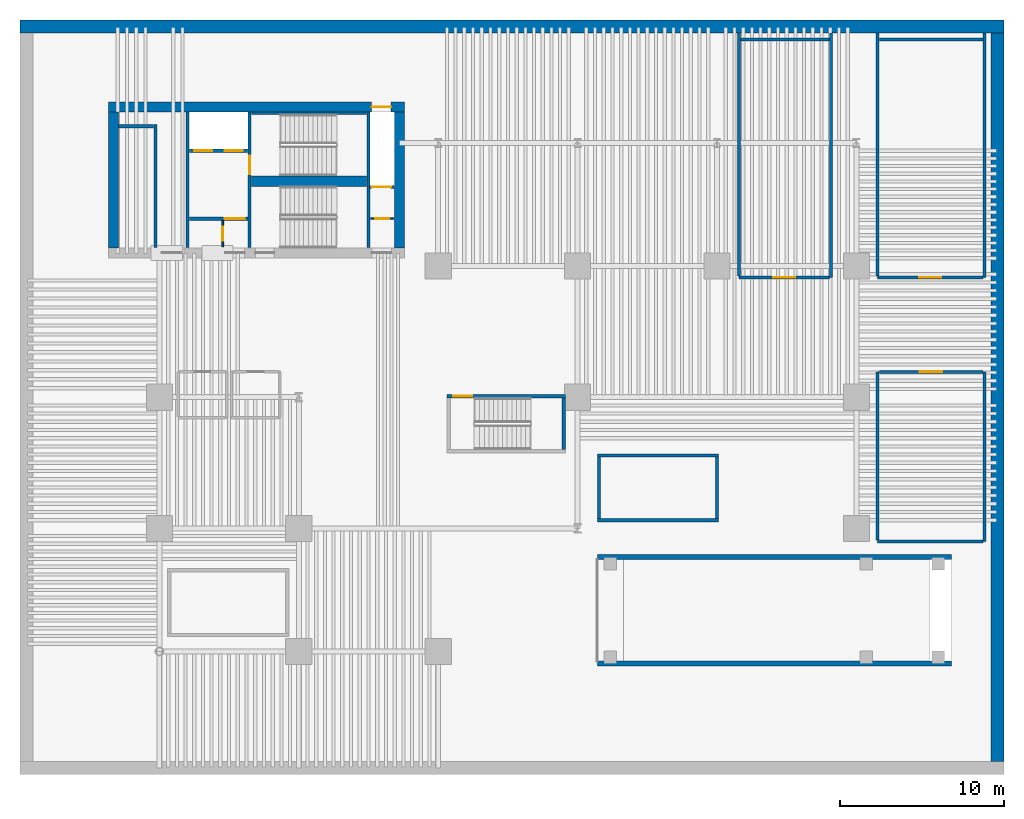
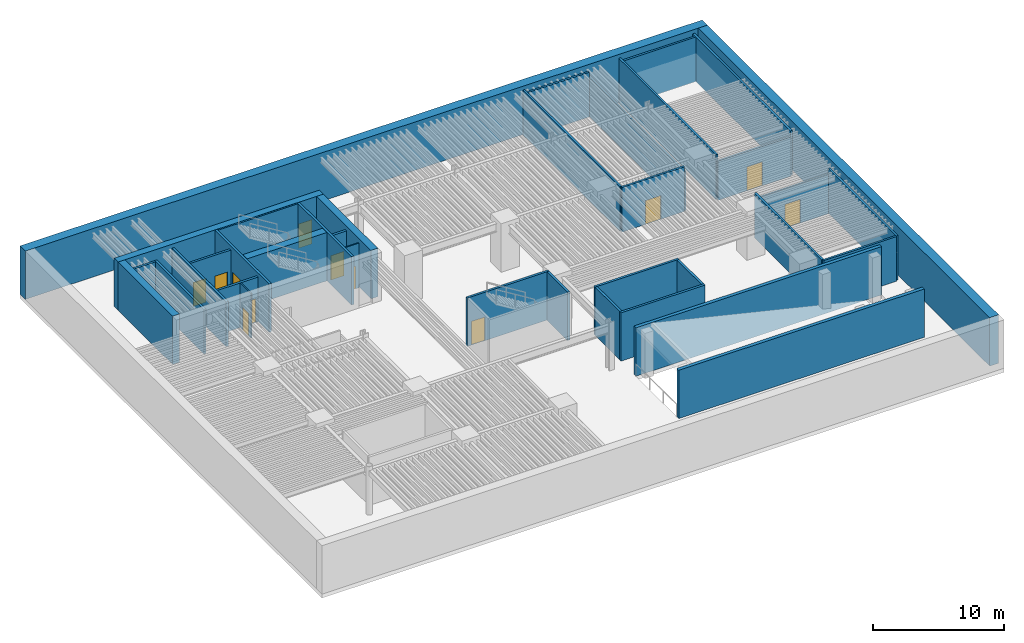
# One storey, part 4 of 9: 37 walls, 12 doors, 12 openings.
"""IFC4 building model written with IfcOpenShell, lengths in metres."""

from ifc_helpers import new_model, si_unit, direction, frame, frame_2d, origin, place, context, subcontext, project, spatial, rectangle, extrude, material, layer, layer_set, type_object, element, fill, save


model = new_model("IFC4")

# Units and contexts
model_context = context("Model", 3, precision=1e-05, world=origin(), true_north=direction((0.0, 1.0)))
body_context = subcontext(model_context, "Body", "Model", "MODEL_VIEW")
ifc_project = project(units=[si_unit("LENGTHUNIT", "METRE"), si_unit("AREAUNIT", "SQUARE_METRE"), si_unit("VOLUMEUNIT", "CUBIC_METRE"), si_unit("PLANEANGLEUNIT", "RADIAN"), si_unit("MASSUNIT", "GRAM", prefix="KILO")], contexts=[model_context])

# Site, building, storey
site_placement = place(None, origin())
site = spatial("IfcSite", under=ifc_project, at=site_placement, CompositionType="ELEMENT")
building_placement = place(site_placement, origin())
building = spatial("IfcBuilding", under=site, at=building_placement, Name="Caeloran Harvest Quay", CompositionType="ELEMENT")
storey_placement = place(building_placement, frame((0.0, 0.0, -13.5)))
storey = spatial("IfcBuildingStorey", under=building, at=storey_placement, Name="B03", CompositionType="ELEMENT", Elevation=-13.5)

# Wall, opening, door
ifc_material_1 = material(Name="Fire-Resisting Gypsum Core Riser Partition", Category="gypsum")
ifc_layer_1 = layer(ifc_material_1, 0.10009765625, Name="Fire-Resisting Gypsum Core Riser Partition")
ifc_layer_set_1 = layer_set([ifc_layer_1], Name="Fire-Resisting Gypsum Core Riser Partition")
wall_type_1 = type_object("IfcWallType", Name="INT-WALL-PW-100", PredefinedType="PARTITIONING", material=ifc_layer_set_1)
wall_1_placement = place(storey_placement, frame((12.360107421875, 32.159912109375, 0.0), z_axis=(0.0, 0.0, 1.0), x_axis=(0.0, 1.0, 0.0)))
wall_1 = element("IfcWall", 1, at=wall_1_placement, inside=storey, type_object=wall_type_1, Name="B03 Core Store Partition Wall", PredefinedType="PARTITIONING", context=body_context, shape_type="SweptSolid", body=[
    extrude(rectangle(XDim=1.6201171875, YDim=0.10009765625, at=frame_2d((0.81005859375, 0.0))), origin(), (0.0, 0.0, 1.0), 4.14990234375),
])
opening_1_placement = place(wall_1_placement, frame((0.3798828125, 0.0, 0.0)))
opening_1 = element("IfcOpeningElement", 2, at=opening_1_placement, cuts=wall_1, Name="Opening SV-01", PredefinedType="OPENING", context=body_context, shape_type="SweptSolid", body=[
    extrude(rectangle(XDim=0.85009765625, YDim=2.10009765625, at=frame_2d((0.425048828125, 1.050048828125))), frame((0.0, 0.06005859375, 0.0), z_axis=(0.0, -1.0, 0.0), x_axis=(1.0, 0.0, 0.0)), (0.0, 0.0, 1.0), 0.1201171875),
])
ifc_material_2 = material(Name="Galvanized Painted Steel", Category="steel")
door_type_1 = type_object("IfcDoorType", Name="INTDOOR-SV-01", OperationType="NOTDEFINED", PredefinedType="DOOR", material=ifc_material_2)
door_1_placement = place(opening_1_placement, origin())
door_1 = element("IfcDoor", 3, at=door_1_placement, inside=storey, type_object=door_type_1, Name="B03 Core Service Room Access Door", OperationType="SINGLE_SWING_LEFT", OverallHeight=2.10009765625, OverallWidth=0.85009765625, PredefinedType="DOOR", context=body_context, shape_type="SweptSolid", body=[
    extrude(rectangle(XDim=0.85009765625, YDim=2.10009765625, at=frame_2d((0.425048828125, 1.050048828125))), frame((0.0, 0.02490234375, 0.0), z_axis=(0.0, -1.0, 0.0), x_axis=(1.0, 0.0, 0.0)), (0.0, 0.0, 1.0), 0.050048828125),
])
fill(opening_1, door_1)

wall_2_placement = place(storey_placement, frame((21.3798828125, 33.889892578125, 0.0), z_axis=(0.0, 0.0, 1.0), x_axis=(1.0, 0.0, 0.0)))
wall_2 = element("IfcWall", 4, at=wall_2_placement, inside=storey, type_object=wall_type_1, Name="B03 Cleaner Store Partition Wall", PredefinedType="PARTITIONING", context=body_context, shape_type="SweptSolid", body=[
    extrude(rectangle(XDim=1.420166015625, YDim=0.10009765625, at=frame_2d((0.7099609375, 0.0))), origin(), (0.0, 0.0, 1.0), 4.14990234375),
])
opening_2_placement = place(wall_2_placement, frame((0.280029296875, 0.0, 0.0)))
opening_2 = element("IfcOpeningElement", 5, at=opening_2_placement, cuts=wall_2, Name="Opening SV-01", PredefinedType="OPENING", context=body_context, shape_type="SweptSolid", body=[
    extrude(rectangle(XDim=0.85009765625, YDim=2.10009765625, at=frame_2d((0.425048828125, 1.050048828125))), frame((0.0, 0.06005859375, 0.0), z_axis=(0.0, -1.0, 0.0), x_axis=(1.0, 0.0, 0.0)), (0.0, 0.0, 1.0), 0.1201171875),
])
door_2_placement = place(opening_2_placement, origin())
door_2 = element("IfcDoor", 6, at=door_2_placement, inside=storey, type_object=door_type_1, Name="B03 Cleaner Supply Store Access Door", OperationType="SINGLE_SWING_RIGHT", OverallHeight=2.10009765625, OverallWidth=0.85009765625, PredefinedType="DOOR", context=body_context, shape_type="SweptSolid", body=[
    extrude(rectangle(XDim=0.85009765625, YDim=2.10009765625, at=frame_2d((0.425048828125, 1.050048828125))), frame((0.0, 0.02490234375, 0.0), z_axis=(0.0, -1.0, 0.0), x_axis=(1.0, 0.0, 0.0)), (0.0, 0.0, 1.0), 0.050048828125),
])
fill(opening_2, door_2)

# Walls
ifc_material_3 = material(Name="Autoclaved Aerated Concrete Blockwork", Category="masonry")
ifc_layer_2 = layer(ifc_material_3, 0.179931640625, Name="Autoclaved Aerated Concrete Blockwork")
ifc_layer_set_2 = layer_set([ifc_layer_2], Name="Autoclaved Aerated Concrete Blockwork")
wall_type_2 = type_object("IfcWallType", Name="INT-WALL-PW-180", PredefinedType="PARTITIONING", material=ifc_layer_set_2)
wall_3_placement = place(storey_placement, frame((58.800048828125, 24.550048828125, 0.0), z_axis=(0.0, 0.0, 1.0), x_axis=(0.0, -1.0, 0.0)))
element("IfcWall", 7, at=wall_3_placement, inside=storey, type_object=wall_type_2, Name="Hydroponic Nutrient Fertigation Mixing Reservoir Plant Partition Wall", PredefinedType="PARTITIONING", context=body_context, shape_type="SweptSolid", body=[
    extrude(rectangle(XDim=10.35009765625, YDim=0.179931640625, at=frame_2d((5.175048828125, 0.0))), origin(), (0.0, 0.0, 1.0), 4.14990234375),
])
wall_4_placement = place(storey_placement, frame((58.705078125, 14.199951171875, 0.0), z_axis=(0.0, 0.0, 1.0), x_axis=(-1.0, 0.0, 0.0)))
element("IfcWall", 8, at=wall_4_placement, inside=storey, type_object=wall_type_2, Name="Hydroponic Nutrient Fertigation Mixing Reservoir Plant Partition Wall", PredefinedType="PARTITIONING", context=body_context, shape_type="SweptSolid", body=[
    extrude(rectangle(XDim=6.405029296875, YDim=0.179931640625, at=frame_2d((3.20263671875, 0.0))), origin(), (0.0, 0.0, 1.0), 4.14990234375),
])
wall_5_placement = place(storey_placement, frame((52.300048828125, 14.294921875, 0.0), z_axis=(0.0, 0.0, 1.0), x_axis=(0.0, 1.0, 0.0)))
element("IfcWall", 9, at=wall_5_placement, inside=storey, type_object=wall_type_2, Name="Hydroponic Nutrient Fertigation Mixing Reservoir Plant Partition Wall", PredefinedType="PARTITIONING", context=body_context, shape_type="SweptSolid", body=[
    extrude(rectangle(XDim=10.255126953125, YDim=0.179931640625, at=frame_2d((5.12744140625, 0.0))), origin(), (0.0, 0.0, 1.0), 4.14990234375),
])

# Wall, opening, door
wall_6_placement = place(storey_placement, frame((52.39501953125, 24.550048828125, 0.0), z_axis=(0.0, 0.0, 1.0), x_axis=(1.0, 0.0, 0.0)))
wall_6 = element("IfcWall", 10, at=wall_6_placement, inside=storey, type_object=wall_type_2, Name="Hydroponic Nutrient Fertigation Mixing Reservoir Plant Partition Wall", PredefinedType="PARTITIONING", context=body_context, shape_type="SweptSolid", body=[
    extrude(rectangle(XDim=6.31005859375, YDim=0.179931640625, at=frame_2d((3.155029296875, 0.0))), origin(), (0.0, 0.0, 1.0), 3.635009765625),
])
opening_3_placement = place(wall_6_placement, frame((2.47998046875, 0.0, 0.0)))
opening_3 = element("IfcOpeningElement", 11, at=opening_3_placement, cuts=wall_6, Name="Opening ID-02", PredefinedType="OPENING", context=body_context, shape_type="SweptSolid", body=[
    extrude(rectangle(XDim=1.35009765625, YDim=2.199951171875, at=frame_2d((0.675048828125, 1.10009765625))), frame((0.0, 0.10009765625, 0.0), z_axis=(0.0, -1.0, 0.0), x_axis=(1.0, 0.0, 0.0)), (0.0, 0.0, 1.0), 0.199951171875),
])
ifc_material_4 = material(Name="Powder-Coated Steel Acoustic Leaf", Category="steel")
door_type_2 = type_object("IfcDoorType", Name="INTDOOR-ID-02", OperationType="NOTDEFINED", PredefinedType="DOOR", material=ifc_material_4)
door_3_placement = place(opening_3_placement, origin())
door_3 = element("IfcDoor", 12, at=door_3_placement, inside=storey, type_object=door_type_2, Name="Hydroponic Nutrient Fertigation Mixing Reservoir Plant Access Door", OperationType="SINGLE_SWING_RIGHT", OverallHeight=2.199951171875, OverallWidth=1.35009765625, PredefinedType="DOOR", context=body_context, shape_type="SweptSolid", body=[
    extrude(rectangle(XDim=1.35009765625, YDim=2.199951171875, at=frame_2d((0.675048828125, 1.10009765625))), frame((0.0, 0.02490234375, 0.0), z_axis=(0.0, -1.0, 0.0), x_axis=(1.0, 0.0, 0.0)), (0.0, 0.0, 1.0), 0.050048828125),
])
fill(opening_3, door_3)

# Wall
wall_7_placement = place(storey_placement, frame((58.800048828125, 45.195068359375, 0.0), z_axis=(0.0, 0.0, 1.0), x_axis=(0.0, -1.0, 0.0)))
element("IfcWall", 13, at=wall_7_placement, inside=storey, type_object=wall_type_2, Name="Reverse-Osmosis Water Treatment Plant Partition Wall", PredefinedType="PARTITIONING", context=body_context, shape_type="SweptSolid", body=[
    extrude(rectangle(XDim=14.89501953125, YDim=0.179931640625, at=frame_2d((7.447509765625, 0.0))), origin(), (0.0, 0.0, 1.0), 4.14990234375),
])

# Wall, opening, door
wall_8_placement = place(storey_placement, frame((58.705078125, 30.300048828125, 0.0), z_axis=(0.0, 0.0, 1.0), x_axis=(-1.0, 0.0, 0.0)))
wall_8 = element("IfcWall", 14, at=wall_8_placement, inside=storey, type_object=wall_type_2, Name="Reverse-Osmosis Water Treatment Plant Partition Wall", PredefinedType="PARTITIONING", context=body_context, shape_type="SweptSolid", body=[
    extrude(rectangle(XDim=6.405029296875, YDim=0.179931640625, at=frame_2d((3.20263671875, 0.0))), origin(), (0.0, 0.0, 1.0), 3.635009765625),
])
opening_4_placement = place(wall_8_placement, frame((2.527587890625, 0.0, 0.0)))
opening_4 = element("IfcOpeningElement", 15, at=opening_4_placement, cuts=wall_8, Name="Opening ID-02", PredefinedType="OPENING", context=body_context, shape_type="SweptSolid", body=[
    extrude(rectangle(XDim=1.35009765625, YDim=2.199951171875, at=frame_2d((0.675048828125, 1.10009765625))), frame((0.0, 0.10009765625, 0.0), z_axis=(0.0, -1.0, 0.0), x_axis=(1.0, 0.0, 0.0)), (0.0, 0.0, 1.0), 0.199951171875),
])
door_4_placement = place(opening_4_placement, origin())
door_4 = element("IfcDoor", 16, at=door_4_placement, inside=storey, type_object=door_type_2, Name="Reverse-Osmosis Water Treatment Plant Access Door", OperationType="SINGLE_SWING_LEFT", OverallHeight=2.199951171875, OverallWidth=1.35009765625, PredefinedType="DOOR", context=body_context, shape_type="SweptSolid", body=[
    extrude(rectangle(XDim=1.35009765625, YDim=2.199951171875, at=frame_2d((0.675048828125, 1.10009765625))), frame((0.0, 0.02490234375, 0.0), z_axis=(0.0, -1.0, 0.0), x_axis=(1.0, 0.0, 0.0)), (0.0, 0.0, 1.0), 0.050048828125),
])
fill(opening_4, door_4)

# Walls
wall_9_placement = place(storey_placement, frame((52.300048828125, 30.39501953125, 0.0), z_axis=(0.0, 0.0, 1.0), x_axis=(0.0, 1.0, 0.0)))
element("IfcWall", 17, at=wall_9_placement, inside=storey, type_object=wall_type_2, Name="Reverse-Osmosis Water Treatment Plant Partition Wall", PredefinedType="PARTITIONING", context=body_context, shape_type="SweptSolid", body=[
    extrude(rectangle(XDim=14.800048828125, YDim=0.179931640625, at=frame_2d((7.39990234375, 0.0))), origin(), (0.0, 0.0, 1.0), 4.14990234375),
])
wall_10_placement = place(storey_placement, frame((52.39501953125, 44.800048828125, 0.0), z_axis=(0.0, 0.0, 1.0), x_axis=(1.0, 0.0, 0.0)))
element("IfcWall", 18, at=wall_10_placement, inside=storey, type_object=wall_type_2, Name="Reverse-Osmosis Water Treatment Plant Partition Wall", PredefinedType="PARTITIONING", context=body_context, shape_type="SweptSolid", body=[
    extrude(rectangle(XDim=6.31005859375, YDim=0.179931640625, at=frame_2d((3.155029296875, 0.0))), origin(), (0.0, 0.0, 1.0), 4.14990234375),
])
wall_11_placement = place(storey_placement, frame((49.449951171875, 45.195068359375, 0.0), z_axis=(0.0, 0.0, 1.0), x_axis=(0.0, -1.0, 0.0)))
element("IfcWall", 19, at=wall_11_placement, inside=storey, type_object=wall_type_2, Name="Standby Emergency Diesel Generator Hall Partition Wall", PredefinedType="PARTITIONING", context=body_context, shape_type="SweptSolid", body=[
    extrude(rectangle(XDim=14.89501953125, YDim=0.179931640625, at=frame_2d((7.447509765625, 0.0))), origin(), (0.0, 0.0, 1.0), 3.635009765625),
])

# Wall, opening, door
wall_12_placement = place(storey_placement, frame((49.35498046875, 30.300048828125, 0.0), z_axis=(0.0, 0.0, 1.0), x_axis=(-1.0, 0.0, 0.0)))
wall_12 = element("IfcWall", 20, at=wall_12_placement, inside=storey, type_object=wall_type_2, Name="Standby Emergency Diesel Generator Hall Partition Wall", PredefinedType="PARTITIONING", context=body_context, shape_type="SweptSolid", body=[
    extrude(rectangle(XDim=5.5048828125, YDim=0.179931640625, at=frame_2d((2.75244140625, 0.0))), origin(), (0.0, 0.0, 1.0), 4.14990234375),
])
opening_5_placement = place(wall_12_placement, frame((2.077392578125, 0.0, 0.0)))
opening_5 = element("IfcOpeningElement", 21, at=opening_5_placement, cuts=wall_12, Name="Opening ID-02", PredefinedType="OPENING", context=body_context, shape_type="SweptSolid", body=[
    extrude(rectangle(XDim=1.35009765625, YDim=2.199951171875, at=frame_2d((0.675048828125, 1.10009765625))), frame((0.0, 0.10009765625, 0.0), z_axis=(0.0, -1.0, 0.0), x_axis=(1.0, 0.0, 0.0)), (0.0, 0.0, 1.0), 0.199951171875),
])
door_5_placement = place(opening_5_placement, origin())
door_5 = element("IfcDoor", 22, at=door_5_placement, inside=storey, type_object=door_type_2, Name="Standby Emergency Diesel Generator Hall Access Door", OperationType="SINGLE_SWING_RIGHT", OverallHeight=2.199951171875, OverallWidth=1.35009765625, PredefinedType="DOOR", context=body_context, shape_type="SweptSolid", body=[
    extrude(rectangle(XDim=1.35009765625, YDim=2.199951171875, at=frame_2d((0.675048828125, 1.10009765625))), frame((0.0, 0.02490234375, 0.0), z_axis=(0.0, -1.0, 0.0), x_axis=(1.0, 0.0, 0.0)), (0.0, 0.0, 1.0), 0.050048828125),
])
fill(opening_5, door_5)

# Walls
wall_13_placement = place(storey_placement, frame((43.85009765625, 30.39501953125, 0.0), z_axis=(0.0, 0.0, 1.0), x_axis=(0.0, 1.0, 0.0)))
element("IfcWall", 23, at=wall_13_placement, inside=storey, type_object=wall_type_2, Name="Standby Emergency Diesel Generator Hall Partition Wall", PredefinedType="PARTITIONING", context=body_context, shape_type="SweptSolid", body=[
    extrude(rectangle(XDim=14.800048828125, YDim=0.179931640625, at=frame_2d((7.39990234375, 0.0))), origin(), (0.0, 0.0, 1.0), 4.14990234375),
])
wall_14_placement = place(storey_placement, frame((43.945068359375, 44.800048828125, 0.0), z_axis=(0.0, 0.0, 1.0), x_axis=(1.0, 0.0, 0.0)))
element("IfcWall", 24, at=wall_14_placement, inside=storey, type_object=wall_type_2, Name="Standby Emergency Diesel Generator Hall Partition Wall", PredefinedType="PARTITIONING", context=body_context, shape_type="SweptSolid", body=[
    extrude(rectangle(XDim=5.409912109375, YDim=0.179931640625, at=frame_2d((2.705078125, 0.0))), origin(), (0.0, 0.0, 1.0), 4.14990234375),
])
ifc_material_5 = material(Name="Concrete C50/60", Category="concrete")
ifc_layer_3 = layer(ifc_material_5, 0.199951171875, Name="Concrete C50/60")
ifc_layer_set_3 = layer_set([ifc_layer_3], Name="Concrete C50/60")
wall_type_3 = type_object("IfcWallType", Name="INT-WALL-SW-200", PredefinedType="PARTITIONING", material=ifc_layer_set_3)
wall_15_placement = place(storey_placement, frame((8.260009765625, 32.1201171875, 0.0), z_axis=(0.0, 0.0, 1.0), x_axis=(0.0, 1.0, 0.0)))
element("IfcWall", 25, at=wall_15_placement, inside=storey, type_object=wall_type_3, Name="B03 Bank 3 Lift Shaft Wall", PredefinedType="PARTITIONING", context=body_context, shape_type="SweptSolid", body=[
    extrude(rectangle(XDim=7.5, YDim=0.199951171875, at=frame_2d((3.75, 0.0))), origin(), (0.0, 0.0, 1.0), 4.14990234375),
])
wall_16_placement = place(storey_placement, frame((6.02001953125, 39.52001953125, 0.0), z_axis=(0.0, 0.0, 1.0), x_axis=(1.0, 0.0, 0.0)))
element("IfcWall", 26, at=wall_16_placement, inside=storey, type_object=wall_type_3, Name="B03 Bank 3 Lift Shaft North End Wall", PredefinedType="PARTITIONING", context=body_context, shape_type="SweptSolid", body=[
    extrude(rectangle(XDim=2.119873046875, YDim=0.199951171875, at=frame_2d((1.06005859375, 0.0))), origin(), (0.0, 0.0, 1.0), 4.14990234375),
])
wall_17_placement = place(storey_placement, frame((10.219970703125, 32.1201171875, 0.0), z_axis=(0.0, 0.0, 1.0), x_axis=(0.0, 1.0, 0.0)))
element("IfcWall", 27, at=wall_17_placement, inside=storey, type_object=wall_type_3, Name="B03 Core Lobby Compartment Wall", PredefinedType="PARTITIONING", context=body_context, shape_type="SweptSolid", body=[
    extrude(rectangle(XDim=8.259765625, YDim=0.199951171875, at=frame_2d((4.1298828125, 0.0))), origin(), (0.0, 0.0, 1.0), 4.14990234375),
])

# Wall, openings, doors
wall_18_placement = place(storey_placement, frame((10.340087890625, 38.02001953125, 0.0), z_axis=(0.0, 0.0, 1.0), x_axis=(1.0, 0.0, 0.0)))
wall_18 = element("IfcWall", 28, at=wall_18_placement, inside=storey, type_object=wall_type_3, Name="B03 Firefighting Lift Shaft Wall", PredefinedType="PARTITIONING", context=body_context, shape_type="SweptSolid", body=[
    extrude(rectangle(XDim=3.539794921875, YDim=0.199951171875, at=frame_2d((1.77001953125, 0.0))), origin(), (0.0, 0.0, 1.0), 4.14990234375),
])
opening_6_placement = place(wall_18_placement, frame((0.284912109375, 0.0, 0.0)))
opening_6 = element("IfcOpeningElement", 29, at=opening_6_placement, cuts=wall_18, Name="Opening LD-01", PredefinedType="OPENING", context=body_context, shape_type="SweptSolid", body=[
    extrude(rectangle(XDim=1.10009765625, YDim=2.199951171875, at=frame_2d((0.550048828125, 1.10009765625))), frame((0.0, 0.10986328125, 0.0), z_axis=(0.0, -1.0, 0.0), x_axis=(1.0, 0.0, 0.0)), (0.0, 0.0, 1.0), 0.219970703125),
])
opening_7_placement = place(wall_18_placement, frame((2.135009765625, 0.0, 0.0)))
opening_7 = element("IfcOpeningElement", 30, at=opening_7_placement, cuts=wall_18, Name="Opening LD-01", PredefinedType="OPENING", context=body_context, shape_type="SweptSolid", body=[
    extrude(rectangle(XDim=1.10009765625, YDim=2.199951171875, at=frame_2d((0.550048828125, 1.10009765625))), frame((0.0, 0.10986328125, 0.0), z_axis=(0.0, -1.0, 0.0), x_axis=(1.0, 0.0, 0.0)), (0.0, 0.0, 1.0), 0.219970703125),
])
ifc_material_6 = material(Name="Stainless Steel Grade 316", Category="steel")
door_type_3 = type_object("IfcDoorType", Name="INTDOOR-LD-01", OperationType="NOTDEFINED", PredefinedType="DOOR", material=ifc_material_6)
door_6_placement = place(opening_6_placement, origin())
door_6 = element("IfcDoor", 31, at=door_6_placement, inside=storey, type_object=door_type_3, Name="Lift FF-1 Sliding Landing Door (B03)", OperationType="DOUBLE_DOOR_SLIDING", OverallHeight=2.199951171875, OverallWidth=1.10009765625, PredefinedType="DOOR", context=body_context, shape_type="SweptSolid", body=[
    extrude(rectangle(XDim=1.10009765625, YDim=2.199951171875, at=frame_2d((0.550048828125, 1.10009765625))), frame((0.0, 0.02490234375, 0.0), z_axis=(0.0, -1.0, 0.0), x_axis=(1.0, 0.0, 0.0)), (0.0, 0.0, 1.0), 0.050048828125),
])
fill(opening_6, door_6)
door_7_placement = place(opening_7_placement, origin())
door_7 = element("IfcDoor", 32, at=door_7_placement, inside=storey, type_object=door_type_3, Name="Lift FF-2 Sliding Landing Door (B03)", OperationType="DOUBLE_DOOR_SLIDING", OverallHeight=2.199951171875, OverallWidth=1.10009765625, PredefinedType="DOOR", context=body_context, shape_type="SweptSolid", body=[
    extrude(rectangle(XDim=1.10009765625, YDim=2.199951171875, at=frame_2d((0.550048828125, 1.10009765625))), frame((0.0, 0.02490234375, 0.0), z_axis=(0.0, -1.0, 0.0), x_axis=(1.0, 0.0, 0.0)), (0.0, 0.0, 1.0), 0.050048828125),
])
fill(opening_7, door_7)

# Wall, opening, door
wall_19_placement = place(storey_placement, frame((10.340087890625, 33.8798828125, 0.0), z_axis=(0.0, 0.0, 1.0), x_axis=(1.0, 0.0, 0.0)))
wall_19 = element("IfcWall", 33, at=wall_19_placement, inside=storey, type_object=wall_type_3, Name="B03 Firefighting Lift Lobby Enclosure Wall", PredefinedType="PARTITIONING", context=body_context, shape_type="SweptSolid", body=[
    extrude(rectangle(XDim=3.559814453125, YDim=0.199951171875, at=frame_2d((1.77978515625, 0.0))), origin(), (0.0, 0.0, 1.0), 4.14990234375),
])
opening_8_placement = place(wall_19_placement, frame((2.14990234375, 0.0, 0.0)))
opening_8 = element("IfcOpeningElement", 34, at=opening_8_placement, cuts=wall_19, Name="Opening FD-01", PredefinedType="OPENING", context=body_context, shape_type="SweptSolid", body=[
    extrude(rectangle(XDim=1.199951171875, YDim=2.199951171875, at=frame_2d((0.60009765625, 1.10009765625))), frame((0.0, 0.10986328125, 0.0), z_axis=(0.0, -1.0, 0.0), x_axis=(1.0, 0.0, 0.0)), (0.0, 0.0, 1.0), 0.219970703125),
])
ifc_material_7 = material(Name="Steel", Category="steel")
door_type_4 = type_object("IfcDoorType", Name="INTDOOR-FD-01", OperationType="NOTDEFINED", PredefinedType="DOOR", material=ifc_material_7)
door_8_placement = place(opening_8_placement, origin())
door_8 = element("IfcDoor", 35, at=door_8_placement, inside=storey, type_object=door_type_4, Name="B03 Firefighting Lift Lobby Smoke-Seal Fire Door", OperationType="SINGLE_SWING_RIGHT", OverallHeight=2.199951171875, OverallWidth=1.199951171875, PredefinedType="DOOR", context=body_context, shape_type="SweptSolid", body=[
    extrude(rectangle(XDim=1.199951171875, YDim=2.199951171875, at=frame_2d((0.60009765625, 1.10009765625))), frame((0.0, 0.02490234375, 0.0), z_axis=(0.0, -1.0, 0.0), x_axis=(1.0, 0.0, 0.0)), (0.0, 0.0, 1.0), 0.050048828125),
])
fill(opening_8, door_8)

wall_20_placement = place(storey_placement, frame((21.300048828125, 35.820068359375, 0.0), z_axis=(0.0, 0.0, 1.0), x_axis=(1.0, 0.0, 0.0)))
wall_20 = element("IfcWall", 36, at=wall_20_placement, inside=storey, type_object=wall_type_3, Name="B03 Service Lift SV-2 Shaft Wall", PredefinedType="PARTITIONING", context=body_context, shape_type="SweptSolid", body=[
    extrude(rectangle(XDim=1.5, YDim=0.199951171875, at=frame_2d((0.75, 0.0))), origin(), (0.0, 0.0, 1.0), 4.14990234375),
])
opening_9_placement = place(wall_20_placement, frame((0.14501953125, 0.0, 0.0)))
opening_9 = element("IfcOpeningElement", 37, at=opening_9_placement, cuts=wall_20, Name="Opening LD-02", PredefinedType="OPENING", context=body_context, shape_type="SweptSolid", body=[
    extrude(rectangle(XDim=1.179931640625, YDim=2.25, at=frame_2d((0.58984375, 1.125))), frame((0.0, 0.10986328125, 0.0), z_axis=(0.0, -1.0, 0.0), x_axis=(1.0, 0.0, 0.0)), (0.0, 0.0, 1.0), 0.219970703125),
])
door_type_5 = type_object("IfcDoorType", Name="INTDOOR-LD-02", OperationType="NOTDEFINED", PredefinedType="DOOR", material=ifc_material_6)
door_9_placement = place(opening_9_placement, origin())
door_9 = element("IfcDoor", 38, at=door_9_placement, inside=storey, type_object=door_type_5, Name="Lift SV-2 Sliding Landing Door (B03)", OperationType="DOUBLE_DOOR_SLIDING", OverallHeight=2.25, OverallWidth=1.179931640625, PredefinedType="DOOR", context=body_context, shape_type="SweptSolid", body=[
    extrude(rectangle(XDim=1.179931640625, YDim=2.25, at=frame_2d((0.58984375, 1.125))), frame((0.0, 0.02490234375, 0.0), z_axis=(0.0, -1.0, 0.0), x_axis=(1.0, 0.0, 0.0)), (0.0, 0.0, 1.0), 0.050048828125),
])
fill(opening_9, door_9)

ifc_material_8 = material(Name="Concrete C80/95", Category="concrete")
ifc_layer_4 = layer(ifc_material_8, 0.60009765625, Name="Concrete C80/95")
ifc_layer_set_4 = layer_set([ifc_layer_4], Name="Concrete C80/95")
wall_type_4 = type_object("IfcWallType", Name="STR-WALL-CW-600", PredefinedType="SHEAR", material=ifc_layer_set_4)
wall_21_placement = place(storey_placement, frame((5.39990234375, 40.699951171875, 0.0), z_axis=(0.0, 0.0, 1.0), x_axis=(1.0, 0.0, 0.0)))
wall_21 = element("IfcWall", 39, at=wall_21_placement, inside=storey, type_object=wall_type_4, Name="B03 Rear Core Shear Wall N", PredefinedType="SHEAR", context=body_context, shape_type="SweptSolid", body=[
    extrude(rectangle(XDim=18.050048828125, YDim=0.60009765625, at=frame_2d((9.02490234375, 0.0))), origin(), (0.0, 0.0, 1.0), 4.5),
])
opening_10_placement = place(wall_21_placement, frame((16.044921875, 0.0, 0.0)))
opening_10 = element("IfcOpeningElement", 40, at=opening_10_placement, cuts=wall_21, Name="Opening LD-02", PredefinedType="OPENING", context=body_context, shape_type="SweptSolid", body=[
    extrude(rectangle(XDim=1.179931640625, YDim=2.25, at=frame_2d((0.58984375, 1.125))), frame((0.0, 0.31005859375, 0.0), z_axis=(0.0, -1.0, 0.0), x_axis=(1.0, 0.0, 0.0)), (0.0, 0.0, 1.0), 0.6201171875),
])
door_10_placement = place(opening_10_placement, origin())
door_10 = element("IfcDoor", 41, at=door_10_placement, inside=storey, type_object=door_type_5, Name="Lift SV-1 Sliding Landing Door (B03)", OperationType="DOUBLE_DOOR_SLIDING", OverallHeight=2.25, OverallWidth=1.179931640625, PredefinedType="DOOR", context=body_context, shape_type="SweptSolid", body=[
    extrude(rectangle(XDim=1.179931640625, YDim=2.25, at=frame_2d((0.58984375, 1.125))), frame((0.0, 0.02490234375, 0.0), z_axis=(0.0, -1.0, 0.0), x_axis=(1.0, 0.0, 0.0)), (0.0, 0.0, 1.0), 0.050048828125),
])
fill(opening_10, door_10)

# Walls
for number, where, z_axis, x_axis, name in (
    (42, (5.699951171875, 32.10009765625, 0.0), (0.0, 0.0, 1.0), (0.0, 1.0, 0.0), "B03 Rear Core Shear Wall W"),
    (43, (23.14990234375, 32.10009765625, 0.0), (0.0, 0.0, 1.0), (0.0, 1.0, 0.0), "B03 Rear Core Shear Wall E"),
):
    element("IfcWall", number, at=place(storey_placement, frame(where, z_axis=z_axis, x_axis=x_axis)), inside=storey, type_object=wall_type_4, Name=name, PredefinedType="SHEAR", context=body_context, shape_type="SweptSolid", body=[
        extrude(rectangle(XDim=8.2998046875, YDim=0.60009765625, at=frame_2d((4.14990234375, 0.0))), origin(), (0.0, 0.0, 1.0), 4.5),
    ])
ifc_material_9 = material(Name="Concrete C60/75", Category="concrete")
ifc_layer_5 = layer(ifc_material_9, 0.64990234375, Name="Concrete C60/75")
ifc_layer_set_5 = layer_set([ifc_layer_5], Name="Concrete C60/75")
wall_type_5 = type_object("IfcWallType", Name="STR-WALL-CW-650", PredefinedType="SHEAR", material=ifc_layer_set_5)
wall_22_placement = place(storey_placement, frame((14.1201171875, 36.175048828125, 0.0), z_axis=(0.0, 0.0, 1.0), x_axis=(1.0, 0.0, 0.0)))
element("IfcWall", 44, at=wall_22_placement, inside=storey, type_object=wall_type_5, Name="B03 Core Stairs Dividing Shear Wall", PredefinedType="SHEAR", context=body_context, shape_type="SweptSolid", body=[
    extrude(rectangle(XDim=7.009765625, YDim=0.64990234375, at=frame_2d((3.5048828125, 0.0))), origin(), (0.0, 0.0, 1.0), 4.5),
])
ifc_layer_6 = layer(ifc_material_9, 0.800048828125, Name="Concrete C60/75")
ifc_layer_set_6 = layer_set([ifc_layer_6], Name="Concrete C60/75")
wall_type_6 = type_object("IfcWallType", Name="STR-WALL-DW-800", PredefinedType="USERDEFINED", material=ifc_layer_set_6)
wall_23_placement = place(storey_placement, frame((0.0, 45.60009765625, 0.0), z_axis=(0.0, 0.0, 1.0), x_axis=(1.0, 0.0, 0.0)))
element("IfcWall", 45, at=wall_23_placement, inside=storey, type_object=wall_type_6, Name="B03 Basement Diaphragm Retaining Wall N 800 mm", ObjectType="RETAININGWALL", PredefinedType="USERDEFINED", context=body_context, shape_type="SweptSolid", body=[
    extrude(rectangle(XDim=60.0, YDim=0.800048828125, at=frame_2d((30.0, 0.0))), origin(), (0.0, 0.0, 1.0), 4.5),
])
wall_24_placement = place(storey_placement, frame((59.60009765625, 0.800048828125, 0.0), z_axis=(0.0, 0.0, 1.0), x_axis=(0.0, 1.0, 0.0)))
element("IfcWall", 46, at=wall_24_placement, inside=storey, type_object=wall_type_6, Name="B03 Basement Diaphragm Retaining Wall E 800 mm", ObjectType="RETAININGWALL", PredefinedType="USERDEFINED", context=body_context, shape_type="SweptSolid", body=[
    extrude(rectangle(XDim=44.39990234375, YDim=0.800048828125, at=frame_2d((22.199951171875, 0.0))), origin(), (0.0, 0.0, 1.0), 4.5),
])
ifc_layer_7 = layer(ifc_material_9, 0.300048828125, Name="Concrete C60/75")
ifc_layer_set_7 = layer_set([ifc_layer_7], Name="Concrete C60/75")
wall_type_7 = type_object("IfcWallType", Name="STR-WALL-RW-300", PredefinedType="SOLIDWALL", material=ifc_layer_set_7)
for number, where, z_axis, x_axis, name in (
    (47, (35.199951171875, 6.75, 0.0), (0.0, 0.0, 1.0), (1.0, 0.0, 0.0), "B03 Vehicle Ramp Enclosure Wall S"),
    (48, (35.199951171875, 13.25, 0.0), (0.0, 0.0, 1.0), (1.0, 0.0, 0.0), "B03 Vehicle Ramp Enclosure Wall N"),
):
    element("IfcWall", number, at=place(storey_placement, frame(where, z_axis=z_axis, x_axis=x_axis)), inside=storey, type_object=wall_type_7, Name=name, PredefinedType="SOLIDWALL", context=body_context, shape_type="SweptSolid", body=[
        extrude(rectangle(XDim=21.60009765625, YDim=0.300048828125, at=frame_2d((10.800048828125, 0.0))), origin(), (0.0, 0.0, 1.0), 4.5),
    ])
ifc_layer_8 = layer(ifc_material_9, 0.139892578125, Name="Concrete C60/75")
ifc_layer_set_8 = layer_set([ifc_layer_8], Name="Concrete C60/75")
wall_type_8 = type_object("IfcWallType", Name="STR-WALL-SW-140", PredefinedType="SHEAR", material=ifc_layer_set_8)
wall_25_placement = place(storey_placement, frame((14.1201171875, 40.320068359375, 0.0), z_axis=(0.0, 0.0, 1.0), x_axis=(1.0, 0.0, 0.0)))
element("IfcWall", 49, at=wall_25_placement, inside=storey, type_object=wall_type_8, Name="B03 Core Stair ST-C1 North Bearing Shear Wall", PredefinedType="SHEAR", context=body_context, shape_type="SweptSolid", body=[
    extrude(rectangle(XDim=7.009765625, YDim=0.139892578125, at=frame_2d((3.5048828125, 0.0))), origin(), (0.0, 0.0, 1.0), 4.5),
])

# Wall, opening, door
ifc_layer_9 = layer(ifc_material_9, 0.199951171875, Name="Concrete C60/75")
ifc_layer_set_9 = layer_set([ifc_layer_9], Name="Concrete C60/75")
wall_type_9 = type_object("IfcWallType", Name="STR-WALL-SW-200", PredefinedType="SHEAR", material=ifc_layer_set_9)
wall_26_placement = place(storey_placement, frame((14.0, 32.1201171875, 0.0), z_axis=(0.0, 0.0, 1.0), x_axis=(0.0, 1.0, 0.0)))
wall_26 = element("IfcWall", 50, at=wall_26_placement, inside=storey, type_object=wall_type_9, Name="B03 Core Stair Shaft West Shear Wall", PredefinedType="SHEAR", context=body_context, shape_type="SweptSolid", body=[
    extrude(rectangle(XDim=8.259765625, YDim=0.199951171875, at=frame_2d((4.1298828125, 0.0))), origin(), (0.0, 0.0, 1.0), 4.5),
])
opening_11_placement = place(wall_26_placement, frame((4.4599609375, 0.0, 0.0)))
opening_11 = element("IfcOpeningElement", 51, at=opening_11_placement, cuts=wall_26, Name="Opening SD-01", PredefinedType="OPENING", context=body_context, shape_type="SweptSolid", body=[
    extrude(rectangle(XDim=1.14990234375, YDim=2.199951171875, at=frame_2d((0.574951171875, 1.10009765625))), frame((0.0, 0.10986328125, 0.0), z_axis=(0.0, -1.0, 0.0), x_axis=(1.0, 0.0, 0.0)), (0.0, 0.0, 1.0), 0.219970703125),
])
door_type_6 = type_object("IfcDoorType", Name="INTDOOR-SD-01", OperationType="NOTDEFINED", PredefinedType="DOOR", material=ifc_material_7)
door_11_placement = place(opening_11_placement, origin())
door_11 = element("IfcDoor", 52, at=door_11_placement, inside=storey, type_object=door_type_6, Name="B03 Protected Stair ST-C1 Exit Door", OperationType="SINGLE_SWING_LEFT", OverallHeight=2.199951171875, OverallWidth=1.14990234375, PredefinedType="DOOR", context=body_context, shape_type="SweptSolid", body=[
    extrude(rectangle(XDim=1.14990234375, YDim=2.199951171875, at=frame_2d((0.574951171875, 1.10009765625))), frame((0.0, 0.02490234375, 0.0), z_axis=(0.0, -1.0, 0.0), x_axis=(1.0, 0.0, 0.0)), (0.0, 0.0, 1.0), 0.050048828125),
])
fill(opening_11, door_11)

# Wall
wall_27_placement = place(storey_placement, frame((21.25, 32.1201171875, 0.0), z_axis=(0.0, 0.0, 1.0), x_axis=(0.0, 1.0, 0.0)))
element("IfcWall", 53, at=wall_27_placement, inside=storey, type_object=wall_type_9, Name="B03 Core Stair Shaft East Shear Wall", PredefinedType="SHEAR", context=body_context, shape_type="SweptSolid", body=[
    extrude(rectangle(XDim=8.259765625, YDim=0.199951171875, at=frame_2d((4.1298828125, 0.0))), origin(), (0.0, 0.0, 1.0), 4.5),
])

# Wall, opening, door
wall_28_placement = place(storey_placement, frame((26.050048828125, 23.050048828125, 0.0), z_axis=(0.0, 0.0, 1.0), x_axis=(1.0, 0.0, 0.0)))
wall_28 = element("IfcWall", 54, at=wall_28_placement, inside=storey, type_object=wall_type_9, Name="B03 Stair ST-W1 N RC Shaft Shear Wall", PredefinedType="SHEAR", context=body_context, shape_type="SweptSolid", body=[
    extrude(rectangle(XDim=7.199951171875, YDim=0.199951171875, at=frame_2d((3.60009765625, 0.0))), origin(), (0.0, 0.0, 1.0), 4.5),
])
opening_12_placement = place(wall_28_placement, frame((0.3798828125, 0.0, 0.0)))
opening_12 = element("IfcOpeningElement", 55, at=opening_12_placement, cuts=wall_28, Name="Opening SD-01", PredefinedType="OPENING", context=body_context, shape_type="SweptSolid", body=[
    extrude(rectangle(XDim=1.14990234375, YDim=2.199951171875, at=frame_2d((0.574951171875, 1.10009765625))), frame((0.0, 0.10986328125, 0.0), z_axis=(0.0, -1.0, 0.0), x_axis=(1.0, 0.0, 0.0)), (0.0, 0.0, 1.0), 0.219970703125),
])
door_12_placement = place(opening_12_placement, origin())
door_12 = element("IfcDoor", 56, at=door_12_placement, inside=storey, type_object=door_type_6, Name="B03 Protected Exit Stair ST-W1 Fire Door", OperationType="SINGLE_SWING_LEFT", OverallHeight=2.199951171875, OverallWidth=1.14990234375, PredefinedType="DOOR", context=body_context, shape_type="SweptSolid", body=[
    extrude(rectangle(XDim=1.14990234375, YDim=2.199951171875, at=frame_2d((0.574951171875, 1.10009765625))), frame((0.0, 0.02490234375, 0.0), z_axis=(0.0, -1.0, 0.0), x_axis=(1.0, 0.0, 0.0)), (0.0, 0.0, 1.0), 0.050048828125),
])
fill(opening_12, door_12)

# Walls
wall_29_placement = place(storey_placement, frame((33.14990234375, 19.81005859375, 0.0), z_axis=(0.0, 0.0, 1.0), x_axis=(0.0, 1.0, 0.0)))
element("IfcWall", 57, at=wall_29_placement, inside=storey, type_object=wall_type_9, Name="B03 Stair ST-W1 E RC Shaft Shear Wall", PredefinedType="SHEAR", context=body_context, shape_type="SweptSolid", body=[
    extrude(rectangle(XDim=3.1298828125, YDim=0.199951171875, at=frame_2d((1.56494140625, 0.0))), origin(), (0.0, 0.0, 1.0), 4.5),
])
for number, where, z_axis, x_axis, name in (
    (58, (35.199951171875, 15.5, 0.0), (0.0, 0.0, 1.0), (1.0, 0.0, 0.0), "B03 Stair ST-P2 S RC Shaft Shear Wall"),
    (59, (35.199951171875, 19.449951171875, 0.0), (0.0, 0.0, 1.0), (1.0, 0.0, 0.0), "B03 Stair ST-P2 N RC Shaft Shear Wall"),
):
    element("IfcWall", number, at=place(storey_placement, frame(where, z_axis=z_axis, x_axis=x_axis)), inside=storey, type_object=wall_type_9, Name=name, PredefinedType="SHEAR", context=body_context, shape_type="SweptSolid", body=[
        extrude(rectangle(XDim=7.400146484375, YDim=0.199951171875, at=frame_2d((3.7001953125, 0.0))), origin(), (0.0, 0.0, 1.0), 4.5),
    ])
for number, where, z_axis, x_axis, name in (
    (60, (35.300048828125, 15.610107421875, 0.0), (0.0, 0.0, 1.0), (0.0, 1.0, 0.0), "B03 Stair ST-P2 W RC Shaft Shear Wall"),
    (61, (42.5, 15.610107421875, 0.0), (0.0, 0.0, 1.0), (0.0, 1.0, 0.0), "B03 Stair ST-P2 E RC Shaft Shear Wall"),
):
    element("IfcWall", number, at=place(storey_placement, frame(where, z_axis=z_axis, x_axis=x_axis)), inside=storey, type_object=wall_type_9, Name=name, PredefinedType="SHEAR", context=body_context, shape_type="SweptSolid", body=[
        extrude(rectangle(XDim=3.72998046875, YDim=0.199951171875, at=frame_2d((1.864990234375, 0.0))), origin(), (0.0, 0.0, 1.0), 4.5),
    ])

save(model, "model.ifc")
